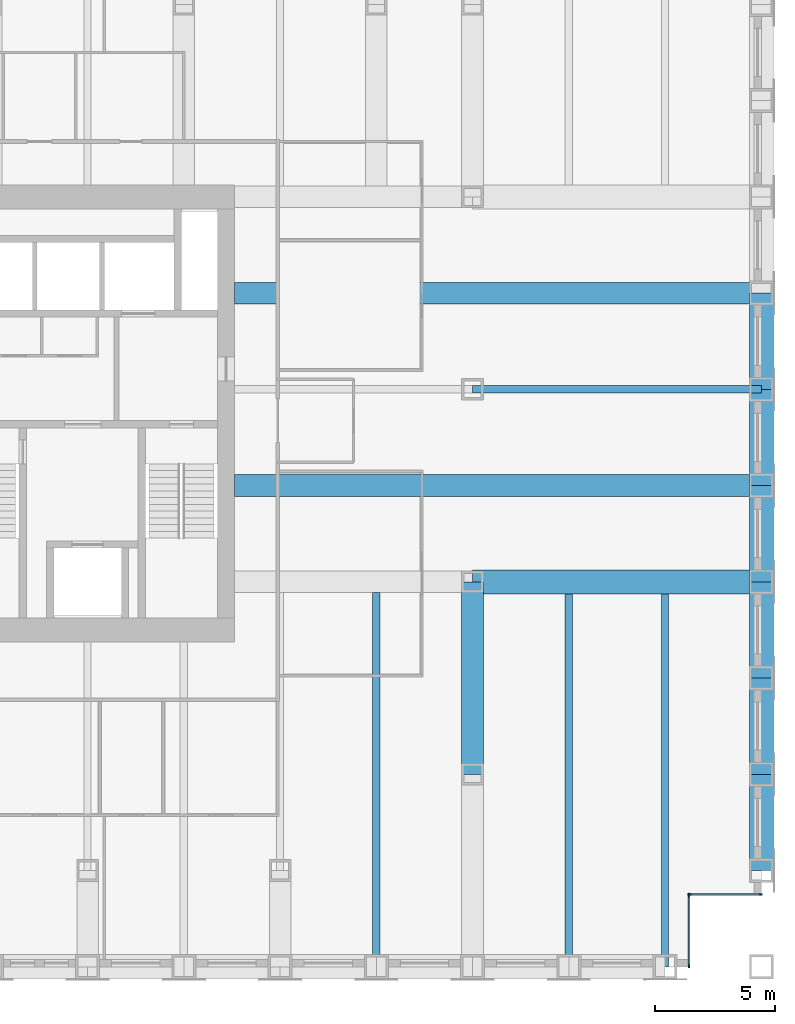
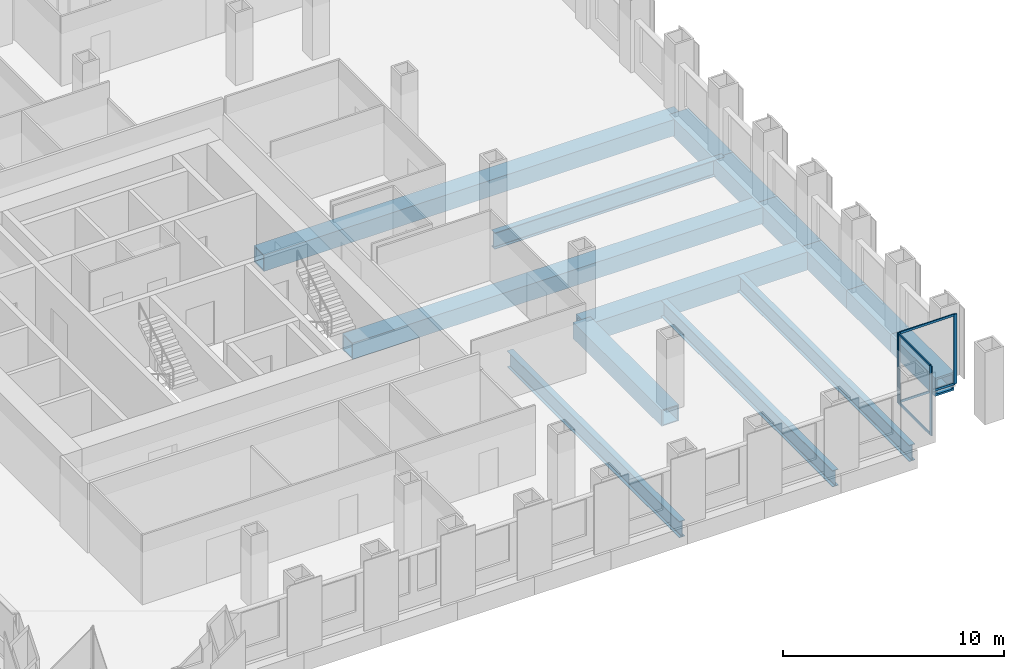
# One storey, part 4 of 15: 14 beams, 8 members, 2 elements without a shape of their own.
"""IFC4 building model written with IfcOpenShell, lengths in metres."""

from ifc_helpers import new_model, si_unit, direction, frame, origin, origin_2d, place, context, subcontext, project, spatial, rectangle, hollow_rectangle, i_section, extrude, material, material_profile, profile_set, type_object, element, aggregate, save


model = new_model("IFC4")

# Units and contexts
model_context = context("Model", 3, precision=1e-05, world=origin(), true_north=direction((0.0, 1.0)))
body_context = subcontext(model_context, "Body", "Model", "MODEL_VIEW")
ifc_project = project(units=[si_unit("LENGTHUNIT", "METRE"), si_unit("AREAUNIT", "SQUARE_METRE"), si_unit("VOLUMEUNIT", "CUBIC_METRE"), si_unit("PLANEANGLEUNIT", "RADIAN"), si_unit("MASSUNIT", "GRAM", prefix="KILO")], contexts=[model_context])

# Site, building, storey
site_placement = place(None, origin())
site = spatial("IfcSite", under=ifc_project, at=site_placement, CompositionType="ELEMENT")
building_placement = place(site_placement, origin())
building = spatial("IfcBuilding", under=site, at=building_placement, Name="Rimbunsela Tower", CompositionType="ELEMENT")
storey_placement = place(building_placement, frame((0.0, 0.0, 117.39990234375)))
storey = spatial("IfcBuildingStorey", under=building, at=storey_placement, Name="L28", CompositionType="ELEMENT", Elevation=117.39990234375)

# Beams
ifc_material_1 = material(Name="Steel BJ 55 (fy 410 MPa)", Category="steel")
ifc_material_profile_1 = material_profile(ifc_material_1, hollow_rectangle(XDim=1.0, YDim=1.0, WallThickness=0.10009765625, at=origin_2d()), Name="BOX 1000x1000x100")
ifc_profile_set_1 = profile_set([ifc_material_profile_1], Name="Steel BJ 55 (fy 410 MPa)")
beam_type_1 = type_object("IfcBeamType", Name="Beam BOX 1000x1000x100", PredefinedType="BEAM", material=ifc_profile_set_1)
beam_1_placement = place(storey_placement, frame((46.0, 20.0, -0.64990234375), z_axis=(1.0, 0.0, 0.0), x_axis=(0.0, 1.0, 0.0)))
element("IfcBeam", 1, at=beam_1_placement, inside=storey, type_object=beam_type_1, Name="Beam B3 L28", PredefinedType="BEAM", context=body_context, shape_type="SweptSolid", body=[
    extrude(hollow_rectangle(XDim=1.0, YDim=1.0, WallThickness=0.10009765625, at=origin_2d()), origin(), (0.0, 0.0, 1.0), 12.0),
])
for number, where, z_axis, x_axis, name in (
    (2, (58.0, 8.0, -0.64990234375), (0.0, 1.0, 0.0), (-1.0, 0.0, 0.0), "Beam B3 L28"),
    (3, (58.0, 12.0, -0.64990234375), (0.0, 1.0, 0.0), (-1.0, 0.0, 0.0), "Beam B3 L28"),
    (4, (58.0, 16.0, -0.64990234375), (0.0, 1.0, 0.0), (-1.0, 0.0, 0.0), "Beam B3 L28"),
    (5, (58.0, 20.0, -0.64990234375), (0.0, 1.0, 0.0), (-1.0, 0.0, 0.0), "Beam B3 L28"),
    (6, (58.0, 24.0, -0.64990234375), (0.0, 1.0, 0.0), (-1.0, 0.0, 0.0), "Beam B3 L28"),
    (7, (58.0, 28.0, -0.64990234375), (0.0, 1.0, 0.0), (-1.0, 0.0, 0.0), "Beam B3 L28"),
):
    element("IfcBeam", number, at=place(storey_placement, frame(where, z_axis=z_axis, x_axis=x_axis)), inside=storey, type_object=beam_type_1, Name=name, PredefinedType="BEAM", context=body_context, shape_type="SweptSolid", body=[
        extrude(hollow_rectangle(XDim=1.0, YDim=1.0, WallThickness=0.10009765625, at=origin_2d()), origin(), (0.0, 0.0, 1.0), 4.0),
    ])
ifc_material_2 = material(Name="Steel BJ 55 (fy 410 MPa)", Category="steel")
ifc_material_profile_2 = material_profile(ifc_material_2, hollow_rectangle(XDim=0.89990234375, YDim=0.89990234375, WallThickness=0.06005859375, at=origin_2d()), Name="BOX 900x900x60")
ifc_profile_set_2 = profile_set([ifc_material_profile_2], Name="Steel BJ 55 (fy 410 MPa)")
beam_type_2 = type_object("IfcBeamType", Name="Beam BOX 900x900x60", PredefinedType="BEAM", material=ifc_profile_set_2)
for number, where, z_axis, x_axis, name in (
    (8, (36.10009765625, 24.0, -0.599853515625), (1.0, 0.0, 0.0), (0.0, 1.0, 0.0), "Beam B1 L28"),
    (9, (36.10009765625, 32.0, -0.599853515625), (1.0, 0.0, 0.0), (0.0, 1.0, 0.0), "Beam B1 L28"),
):
    element("IfcBeam", number, at=place(storey_placement, frame(where, z_axis=z_axis, x_axis=x_axis)), inside=storey, type_object=beam_type_2, Name=name, PredefinedType="BEAM", context=body_context, shape_type="SweptSolid", body=[
        extrude(hollow_rectangle(XDim=0.89990234375, YDim=0.89990234375, WallThickness=0.06005859375, at=origin_2d()), origin(), (0.0, 0.0, 1.0), 21.89990234375),
    ])
beam_2_placement = place(storey_placement, frame((46.0, 12.0, -0.599853515625), z_axis=(0.0, 1.0, 0.0), x_axis=(-1.0, 0.0, 0.0)))
element("IfcBeam", 10, at=beam_2_placement, inside=storey, type_object=beam_type_2, Name="Beam B1 L28", PredefinedType="BEAM", context=body_context, shape_type="SweptSolid", body=[
    extrude(hollow_rectangle(XDim=0.89990234375, YDim=0.89990234375, WallThickness=0.06005859375, at=origin_2d()), origin(), (0.0, 0.0, 1.0), 8.0),
])
ifc_material_3 = material(Name="Steel BJ 55 (fy 410 MPa)", Category="steel")
ifc_material_profile_3 = material_profile(ifc_material_3, i_section(OverallWidth=0.300048828125, OverallDepth=0.89990234375, WebThickness=0.01611328125, FlangeThickness=0.028076171875, FilletRadius=0.028076171875, at=origin_2d()), Name="H 900x300x16x28")
ifc_profile_set_3 = profile_set([ifc_material_profile_3], Name="Steel BJ 55 (fy 410 MPa)")
beam_type_3 = type_object("IfcBeamType", Name="Beam H 900x300x16x28", PredefinedType="BEAM", material=ifc_profile_set_3)
beam_3_placement = place(storey_placement, frame((42.0, 4.0, -0.599853515625), z_axis=(0.0, 1.0, 0.0), x_axis=(-1.0, 0.0, 0.0)))
element("IfcBeam", 11, at=beam_3_placement, inside=storey, type_object=beam_type_3, Name="Beam B2 L28", PredefinedType="BEAM", context=body_context, shape_type="SweptSolid", body=[
    extrude(i_section(OverallWidth=0.300048828125, OverallDepth=0.89990234375, WebThickness=0.01611328125, FlangeThickness=0.028076171875, FilletRadius=0.028076171875, at=origin_2d()), origin(), (0.0, 0.0, 1.0), 15.550048828125),
])
beam_4_placement = place(storey_placement, frame((46.0, 28.0, -0.599853515625), z_axis=(1.0, 0.0, 0.0), x_axis=(0.0, 1.0, 0.0)))
element("IfcBeam", 12, at=beam_4_placement, inside=storey, type_object=beam_type_3, Name="Beam B2 L28", PredefinedType="BEAM", context=body_context, shape_type="SweptSolid", body=[
    extrude(i_section(OverallWidth=0.300048828125, OverallDepth=0.89990234375, WebThickness=0.01611328125, FlangeThickness=0.028076171875, FilletRadius=0.028076171875, at=origin_2d()), origin(), (0.0, 0.0, 1.0), 12.0),
])
for number, where, z_axis, x_axis, name in (
    (13, (50.0, 4.0, -0.599853515625), (0.0, 1.0, 0.0), (-1.0, 0.0, 0.0), "Beam B2 L28"),
    (14, (54.0, 4.0, -0.599853515625), (0.0, 1.0, 0.0), (-1.0, 0.0, 0.0), "Beam B2 L28"),
):
    element("IfcBeam", number, at=place(storey_placement, frame(where, z_axis=z_axis, x_axis=x_axis)), inside=storey, type_object=beam_type_3, Name=name, PredefinedType="BEAM", context=body_context, shape_type="SweptSolid", body=[
        extrude(i_section(OverallWidth=0.300048828125, OverallDepth=0.89990234375, WebThickness=0.01611328125, FlangeThickness=0.028076171875, FilletRadius=0.028076171875, at=origin_2d()), origin(), (0.0, 0.0, 1.0), 15.5),
    ])

# Curtain wall, members
ifc_material_4 = material(Name="Aluminium curtain wall", Category="aluminium")
curtain_wall_type = type_object("IfcCurtainWallType", Name="Corner glazing", PredefinedType="USERDEFINED", material=ifc_material_4)
curtain_wall_1_placement = place(storey_placement, origin())
curtain_wall_1 = element("IfcCurtainWall", 15, at=curtain_wall_1_placement, inside=storey, type_object=curtain_wall_type, Name="Corner glazing L28", ObjectType="CORNER GLAZING", PredefinedType="USERDEFINED")
ifc_material_5 = material(Name="Aluminium mullion", Category="aluminium")
ifc_material_profile_4 = material_profile(ifc_material_5, rectangle(XDim=0.06005859375, YDim=0.159912109375, at=origin_2d()), Name="Mullion 60x160")
ifc_profile_set_4 = profile_set([ifc_material_profile_4], Name="Aluminium mullion")
member_type_1 = type_object("IfcMemberType", Name="Curtain wall mullion 60x160", PredefinedType="MULLION", material=ifc_profile_set_4)
member_1_placement = place(storey_placement, frame((55.0, 4.030029296875, 0.0), z_axis=(0.0, 0.0, 1.0), x_axis=(-1.0, 0.0, 0.0)))
member_1 = element("IfcMember", 16, at=member_1_placement, type_object=member_type_1, Name="CW5 mullion 1", PredefinedType="MULLION", context=body_context, shape_type="SweptSolid", body=[
    extrude(rectangle(XDim=0.06005859375, YDim=0.159912109375, at=origin_2d()), origin(), (0.0, 0.0, 1.0), 3.85009765625),
])
member_2_placement = place(storey_placement, frame((55.0, 6.969970703125, 0.0), z_axis=(0.0, 0.0, 1.0), x_axis=(-1.0, 0.0, 0.0)))
member_2 = element("IfcMember", 17, at=member_2_placement, type_object=member_type_1, Name="CW5 mullion 2", PredefinedType="MULLION", context=body_context, shape_type="SweptSolid", body=[
    extrude(rectangle(XDim=0.06005859375, YDim=0.159912109375, at=origin_2d()), origin(), (0.0, 0.0, 1.0), 3.85009765625),
])

curtain_wall_2_placement = place(storey_placement, origin())
curtain_wall_2 = element("IfcCurtainWall", 18, at=curtain_wall_2_placement, inside=storey, type_object=curtain_wall_type, Name="Corner glazing L28", ObjectType="CORNER GLAZING", PredefinedType="USERDEFINED")
member_3_placement = place(storey_placement, frame((55.030029296875, 7.0, 0.0), z_axis=(0.0, 0.0, 1.0), x_axis=(0.0, 1.0, 0.0)))
member_3 = element("IfcMember", 19, at=member_3_placement, type_object=member_type_1, Name="CW5 mullion 1", PredefinedType="MULLION", context=body_context, shape_type="SweptSolid", body=[
    extrude(rectangle(XDim=0.06005859375, YDim=0.159912109375, at=origin_2d()), origin(), (0.0, 0.0, 1.0), 3.85009765625),
])
member_4_placement = place(storey_placement, frame((57.969970703125, 7.0, 0.0), z_axis=(0.0, 0.0, 1.0), x_axis=(0.0, 1.0, 0.0)))
member_4 = element("IfcMember", 20, at=member_4_placement, type_object=member_type_1, Name="CW5 mullion 2", PredefinedType="MULLION", context=body_context, shape_type="SweptSolid", body=[
    extrude(rectangle(XDim=0.06005859375, YDim=0.159912109375, at=origin_2d()), origin(), (0.0, 0.0, 1.0), 3.85009765625),
])

# Member
ifc_material_6 = material(Name="Aluminium transom", Category="aluminium")
ifc_material_profile_5 = material_profile(ifc_material_6, rectangle(XDim=0.06005859375, YDim=0.1201171875, at=origin_2d()), Name="Transom 60x120")
ifc_profile_set_5 = profile_set([ifc_material_profile_5], Name="Aluminium transom")
member_type_2 = type_object("IfcMemberType", Name="Curtain wall transom 60x120", PredefinedType="USERDEFINED", material=ifc_profile_set_5)
member_5_placement = place(storey_placement, frame((55.0, 4.06005859375, 0.030029296875), z_axis=(0.0, 1.0, 0.0), x_axis=(-1.0, 0.0, 0.0)))
member_5 = element("IfcMember", 21, at=member_5_placement, type_object=member_type_2, Name="CW5 transom 1.1", ObjectType="TRANSOM", PredefinedType="USERDEFINED", context=body_context, shape_type="SweptSolid", body=[
    extrude(rectangle(XDim=0.06005859375, YDim=0.1201171875, at=origin_2d()), origin(), (0.0, 0.0, 1.0), 2.8798828125),
])

member_6_placement = place(storey_placement, frame((55.0, 4.06005859375, 3.820068359375), z_axis=(0.0, 1.0, 0.0), x_axis=(-1.0, 0.0, 0.0)))
member_6 = element("IfcMember", 22, at=member_6_placement, type_object=member_type_2, Name="CW5 transom 1.2", ObjectType="TRANSOM", PredefinedType="USERDEFINED", context=body_context, shape_type="SweptSolid", body=[
    extrude(rectangle(XDim=0.06005859375, YDim=0.1201171875, at=origin_2d()), origin(), (0.0, 0.0, 1.0), 2.8798828125),
])

aggregate(curtain_wall_1, [member_1, member_2, member_5, member_6])

member_7_placement = place(storey_placement, frame((55.06005859375, 7.0, 0.030029296875), z_axis=(1.0, 0.0, 0.0), x_axis=(0.0, 1.0, 0.0)))
member_7 = element("IfcMember", 23, at=member_7_placement, type_object=member_type_2, Name="CW5 transom 1.1", ObjectType="TRANSOM", PredefinedType="USERDEFINED", context=body_context, shape_type="SweptSolid", body=[
    extrude(rectangle(XDim=0.06005859375, YDim=0.1201171875, at=origin_2d()), origin(), (0.0, 0.0, 1.0), 2.8798828125),
])

member_8_placement = place(storey_placement, frame((55.06005859375, 7.0, 3.820068359375), z_axis=(1.0, 0.0, 0.0), x_axis=(0.0, 1.0, 0.0)))
member_8 = element("IfcMember", 24, at=member_8_placement, type_object=member_type_2, Name="CW5 transom 1.2", ObjectType="TRANSOM", PredefinedType="USERDEFINED", context=body_context, shape_type="SweptSolid", body=[
    extrude(rectangle(XDim=0.06005859375, YDim=0.1201171875, at=origin_2d()), origin(), (0.0, 0.0, 1.0), 2.8798828125),
])

aggregate(curtain_wall_2, [member_3, member_4, member_7, member_8])

save(model, "model.ifc")
